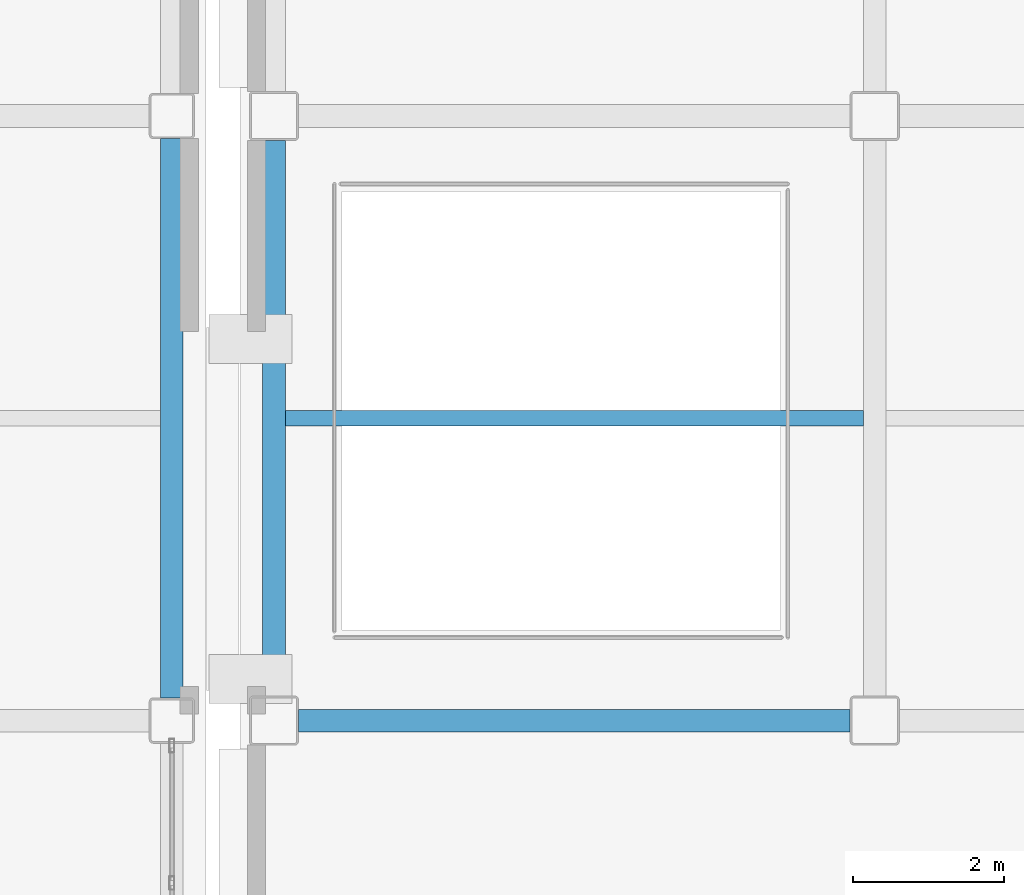
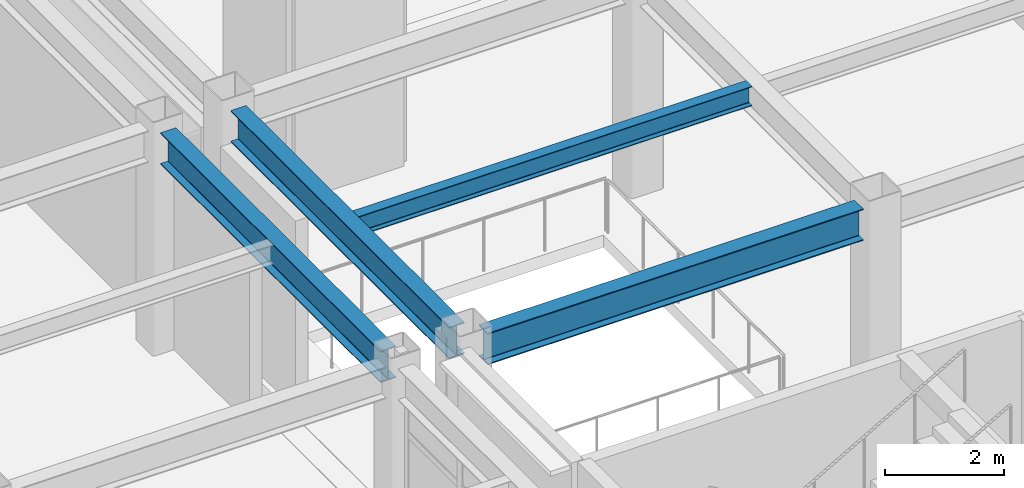
# One storey, part 22 of 172: 4 beams.
"""IFC4 building model written with IfcOpenShell, lengths in metres."""

from ifc_helpers import new_model, si_unit, direction, frame, origin, origin_2d, place, context, subcontext, project, spatial, i_section, extrude, material, material_profile, profile_set, type_object, element, save


model = new_model("IFC4")

# Units and contexts
model_context = context("Model", 3, precision=1e-05, world=origin(), true_north=direction((0.0, 1.0)))
body_context = subcontext(model_context, "Body", "Model", "MODEL_VIEW")
ifc_project = project(units=[si_unit("LENGTHUNIT", "METRE"), si_unit("AREAUNIT", "SQUARE_METRE"), si_unit("VOLUMEUNIT", "CUBIC_METRE"), si_unit("PLANEANGLEUNIT", "RADIAN"), si_unit("MASSUNIT", "GRAM", prefix="KILO")], contexts=[model_context])

# Site, building, storey
site_placement = place(None, origin())
site = spatial("IfcSite", under=ifc_project, at=site_placement, CompositionType="ELEMENT")
building_placement = place(site_placement, origin())
building = spatial("IfcBuilding", under=site, at=building_placement, Name="Kazehara Bluff Congress Hotel", CompositionType="ELEMENT")
storey_placement = place(building_placement, frame((0.0, 0.0, 5.39990234375)))
storey = spatial("IfcBuildingStorey", under=building, at=storey_placement, Name="L01", CompositionType="ELEMENT", Elevation=5.39990234375)

# Beams
ifc_material_1 = material(Name="Steel SN490B", Category="steel")
ifc_material_profile_1 = material_profile(ifc_material_1, i_section(OverallWidth=0.300048828125, OverallDepth=0.64990234375, WebThickness=0.011962890625, FlangeThickness=0.02001953125, FilletRadius=0.012939453125, at=origin_2d()))
ifc_profile_set_1 = profile_set([ifc_material_profile_1], Name="Steel SN490B")
beam_type_1 = type_object("IfcBeamType", Name="TP-G-03", PredefinedType="BEAM", material=ifc_profile_set_1)
beam_1_placement = place(storey_placement, frame((58.35009765625, 24.300048828125, 4.22509765625), z_axis=(0.0, 1.0, 0.0), x_axis=(-1.0, 0.0, 0.0)))
element("IfcBeam", 1, at=beam_1_placement, inside=storey, type_object=beam_type_1, Name="L01 girder G-03 68", PredefinedType="BEAM", context=body_context, shape_type="SweptSolid", body=[
    extrude(i_section(OverallWidth=0.300048828125, OverallDepth=0.64990234375, WebThickness=0.011962890625, FlangeThickness=0.02001953125, FilletRadius=0.012939453125, at=origin_2d()), origin(), (0.0, 0.0, 1.0), 7.39990234375),
])
beam_2_placement = place(storey_placement, frame((59.699951171875, 24.324951171875, 4.22509765625), z_axis=(0.0, 1.0, 0.0), x_axis=(-1.0, 0.0, 0.0)))
element("IfcBeam", 2, at=beam_2_placement, inside=storey, type_object=beam_type_1, Name="L01 girder G-03 149", PredefinedType="BEAM", context=body_context, shape_type="SweptSolid", body=[
    extrude(i_section(OverallWidth=0.300048828125, OverallDepth=0.64990234375, WebThickness=0.011962890625, FlangeThickness=0.02001953125, FilletRadius=0.012939453125, at=origin_2d()), origin(), (0.0, 0.0, 1.0), 7.35009765625),
])
beam_3_placement = place(storey_placement, frame((60.02490234375, 24.0, 4.22509765625), z_axis=(1.0, 0.0, 0.0), x_axis=(0.0, 1.0, 0.0)))
element("IfcBeam", 3, at=beam_3_placement, inside=storey, type_object=beam_type_1, Name="L01 girder G-03 193", PredefinedType="BEAM", context=body_context, shape_type="SweptSolid", body=[
    extrude(i_section(OverallWidth=0.300048828125, OverallDepth=0.64990234375, WebThickness=0.011962890625, FlangeThickness=0.02001953125, FilletRadius=0.012939453125, at=origin_2d()), origin(), (0.0, 0.0, 1.0), 7.300048828125),
])
ifc_material_2 = material(Name="Steel SN400B", Category="steel")
ifc_material_profile_2 = material_profile(ifc_material_2, i_section(OverallWidth=0.199951171875, OverallDepth=0.39990234375, WebThickness=0.008056640625, FlangeThickness=0.012939453125, FilletRadius=0.012939453125, at=origin_2d()))
ifc_profile_set_2 = profile_set([ifc_material_profile_2], Name="Steel SN400B")
beam_type_2 = type_object("IfcBeamType", Name="TP-J-03", PredefinedType="JOIST", material=ifc_profile_set_2)
beam_4_placement = place(storey_placement, frame((59.85009765625, 28.0, 4.35009765625), z_axis=(1.0, 0.0, 0.0), x_axis=(0.0, 1.0, 0.0)))
element("IfcBeam", 4, at=beam_4_placement, inside=storey, type_object=beam_type_2, Name="L01 secondary joist J-03 34", PredefinedType="JOIST", context=body_context, shape_type="SweptSolid", body=[
    extrude(i_section(OverallWidth=0.199951171875, OverallDepth=0.39990234375, WebThickness=0.008056640625, FlangeThickness=0.012939453125, FilletRadius=0.012939453125, at=origin_2d()), origin(), (0.0, 0.0, 1.0), 7.64990234375),
])

save(model, "model.ifc")
